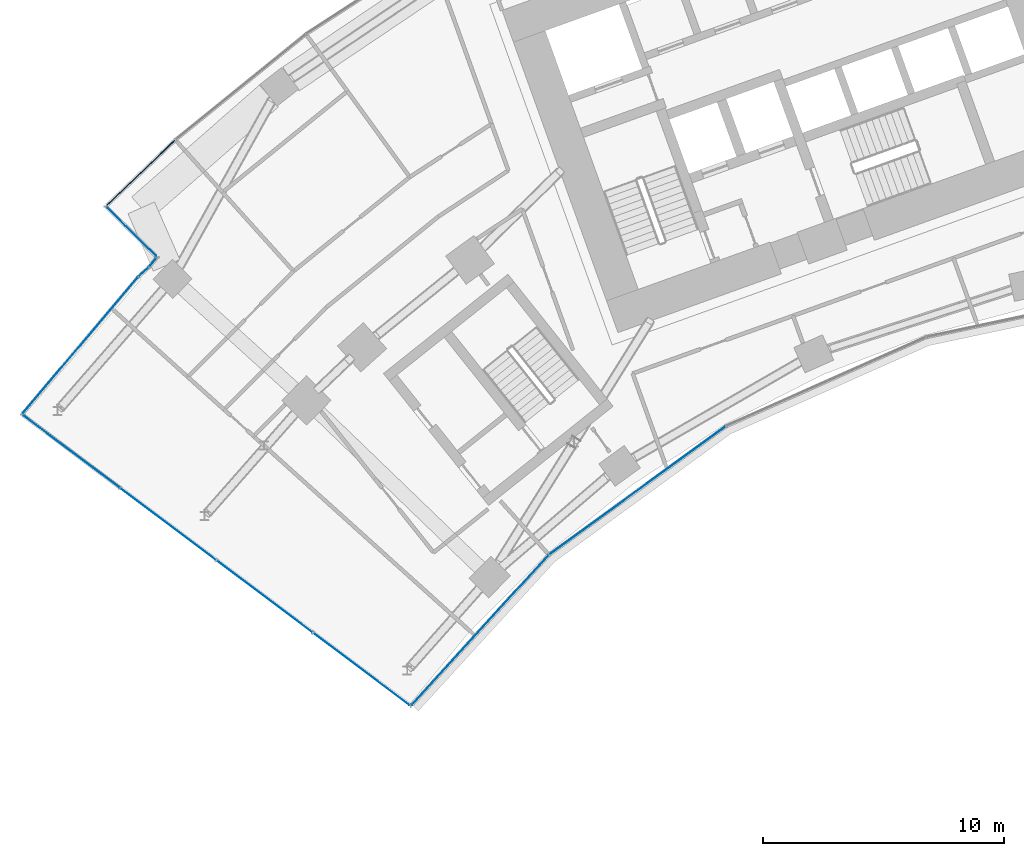
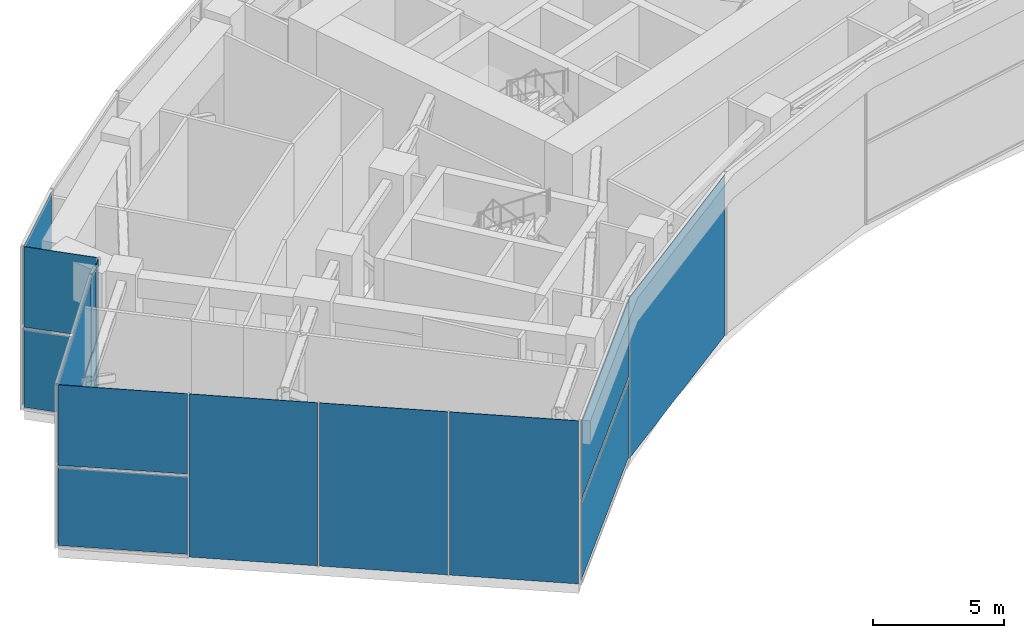
# One storey, part 15 of 30: 18 plates, 7 elements without a shape of their own.
"""IFC4 building model written with IfcOpenShell, lengths in metres."""

from ifc_helpers import new_model, si_unit, direction, frame, origin, origin_2d, place, context, subcontext, project, spatial, rectangle, extrude, material, layer, layer_set, type_object, element, aggregate, save


model = new_model("IFC4")

# Units and contexts
model_context = context("Model", 3, precision=1e-05, world=origin(), true_north=direction((0.0, 1.0)))
body_context = subcontext(model_context, "Body", "Model", "MODEL_VIEW")
ifc_project = project(units=[si_unit("LENGTHUNIT", "METRE"), si_unit("AREAUNIT", "SQUARE_METRE"), si_unit("VOLUMEUNIT", "CUBIC_METRE"), si_unit("PLANEANGLEUNIT", "RADIAN"), si_unit("MASSUNIT", "GRAM", prefix="KILO")], contexts=[model_context])

# Site, building, storey
site_placement = place(None, origin())
site = spatial("IfcSite", under=ifc_project, at=site_placement, CompositionType="ELEMENT")
building_placement = place(site_placement, origin())
building = spatial("IfcBuilding", under=site, at=building_placement, Name="Stone Belt Terrace Tower", CompositionType="ELEMENT")
storey_placement = place(building_placement, frame((0.0, 0.0, 136.39990234375)))
storey = spatial("IfcBuildingStorey", under=building, at=storey_placement, Name="L33", CompositionType="ELEMENT", Elevation=136.39990234375)

# Curtain wall, plates
ifc_material_1 = material(Name="Aluminium 6063-T6 anodised frame", Category="aluminium")
ifc_layer_1 = layer(ifc_material_1, 0.14990234375)
ifc_layer_set_1 = layer_set([ifc_layer_1], Name="CW-A unitised convex-face curtain wall")
curtain_wall_type_1 = type_object("IfcCurtainWallType", Name="CW-A unitised convex-face curtain wall", PredefinedType="NOTDEFINED", material=ifc_layer_set_1)
curtain_wall_1_placement = place(storey_placement, origin())
curtain_wall_1 = element("IfcCurtainWall", 1, at=curtain_wall_1_placement, inside=storey, type_object=curtain_wall_type_1, Name="CW-A convex face L33", PredefinedType="NOTDEFINED")
ifc_material_2 = material(Name="Terracotta coloured glazed ceramic", Category="masonry")
ifc_layer_2 = layer(ifc_material_2, 0.031982421875)
ifc_layer_set_2 = layer_set([ifc_layer_2], Name="CW-A ceramic louvre panel 32")
plate_type_1 = type_object("IfcPlateType", Name="CW-A ceramic louvre panel 32", PredefinedType="CURTAIN_PANEL", material=ifc_layer_set_2)
plate_1_placement = place(storey_placement, frame((-45.9765625, 48.109619140625, 0.14013671875), z_axis=(0.0, 0.0, 1.0), x_axis=(-0.723120883539, -0.690721497993, 0.0)))
plate_1 = element("IfcPlate", 2, at=plate_1_placement, type_object=plate_type_1, Name="CW-A louvre panel 17.1", PredefinedType="CURTAIN_PANEL", context=body_context, shape_type="SweptSolid", body=[
    extrude(rectangle(XDim=3.888671875, YDim=0.031982421875, at=origin_2d()), origin(), (0.0, 0.0, 1.0), 3.590087890625),
])
plate_2_placement = place(storey_placement, frame((-45.9765625, 48.109619140625, 3.8701171875), z_axis=(0.0, 0.0, 1.0), x_axis=(-0.723120883539, -0.690721497993, 0.0)))
plate_2 = element("IfcPlate", 3, at=plate_2_placement, type_object=plate_type_1, Name="CW-A louvre panel 17.2", PredefinedType="CURTAIN_PANEL", context=body_context, shape_type="SweptSolid", body=[
    extrude(rectangle(XDim=3.888671875, YDim=0.031982421875, at=origin_2d()), origin(), (0.0, 0.0, 1.0), 3.590087890625),
])
aggregate(curtain_wall_1, [plate_1, plate_2])

ifc_layer_3 = layer(ifc_material_1, 0.14990234375)
ifc_layer_set_3 = layer_set([ifc_layer_3], Name="CW-B unitised concave-face curtain wall")
curtain_wall_type_2 = type_object("IfcCurtainWallType", Name="CW-B unitised concave-face curtain wall", PredefinedType="NOTDEFINED", material=ifc_layer_set_3)
curtain_wall_2_placement = place(storey_placement, origin())
curtain_wall_2 = element("IfcCurtainWall", 4, at=curtain_wall_2_placement, inside=storey, type_object=curtain_wall_type_2, Name="CW-B concave face L33", PredefinedType="NOTDEFINED")
ifc_layer_4 = layer(ifc_material_2, 0.030029296875)
ifc_layer_set_4 = layer_set([ifc_layer_4], Name="CW-B ceramic louvre panel 30")
plate_type_2 = type_object("IfcPlateType", Name="CW-B ceramic louvre panel 30", PredefinedType="CURTAIN_PANEL", material=ifc_layer_set_4)
plate_3_placement = place(storey_placement, frame((-31.9111328125, 29.148681640625, 0.1201171875), z_axis=(0.0, 0.0, 1.0), x_axis=(0.674760998748, 0.73803630979, 0.0)))
plate_3 = element("IfcPlate", 5, at=plate_3_placement, type_object=plate_type_2, Name="CW-B louvre panel 1.1", PredefinedType="CURTAIN_PANEL", context=body_context, shape_type="SweptSolid", body=[
    extrude(rectangle(XDim=8.39501953125, YDim=0.030029296875, at=origin_2d()), origin(), (0.0, 0.0, 1.0), 3.6201171875),
])
plate_4_placement = place(storey_placement, frame((-31.9111328125, 29.148681640625, 3.860107421875), z_axis=(0.0, 0.0, 1.0), x_axis=(0.674760998748, 0.73803630979, 0.0)))
plate_4 = element("IfcPlate", 6, at=plate_4_placement, type_object=plate_type_2, Name="CW-B louvre panel 1.2", PredefinedType="CURTAIN_PANEL", context=body_context, shape_type="SweptSolid", body=[
    extrude(rectangle(XDim=8.39501953125, YDim=0.030029296875, at=origin_2d()), origin(), (0.0, 0.0, 1.0), 3.6201171875),
])
plate_5_placement = place(storey_placement, frame((-25.384765625, 34.938720703125, 0.0), z_axis=(0.0, 0.0, 1.0), x_axis=(0.809016994375, 0.587785252292, 0.0)))
plate_5 = element("IfcPlate", 7, at=plate_5_placement, type_object=plate_type_2, Name="CW-B louvre panel 2.1", PredefinedType="CURTAIN_PANEL", context=body_context, shape_type="SweptSolid", body=[
    extrude(rectangle(XDim=9.013427734375, YDim=0.030029296875, at=origin_2d()), origin(), (0.0, 0.0, 1.0), 7.47998046875),
])
aggregate(curtain_wall_2, [plate_3, plate_4, plate_5])

ifc_layer_5 = layer(ifc_material_1, 0.14990234375)
ifc_layer_set_5 = layer_set([ifc_layer_5], Name="CW-C stick curtain wall, horn ends and notches")
curtain_wall_type_3 = type_object("IfcCurtainWallType", Name="CW-C stick curtain wall, horn ends and notches", PredefinedType="NOTDEFINED", material=ifc_layer_set_5)
curtain_wall_3_placement = place(storey_placement, origin())
curtain_wall_3 = element("IfcCurtainWall", 8, at=curtain_wall_3_placement, inside=storey, type_object=curtain_wall_type_3, Name="CW-C notch face L33", PredefinedType="NOTDEFINED")
ifc_layer_6 = layer(ifc_material_2, 0.028076171875)
ifc_layer_set_6 = layer_set([ifc_layer_6], Name="CW-C ceramic louvre panel 28")
plate_type_3 = type_object("IfcPlateType", Name="CW-C ceramic louvre panel 28", PredefinedType="CURTAIN_PANEL", material=ifc_layer_set_6)
plate_6_placement = place(storey_placement, frame((-46.365966796875, 45.658447265625, 0.1201171875), z_axis=(0.0, 0.0, 1.0), x_axis=(0.711713447851, -0.702469905511, 0.0)))
plate_6 = element("IfcPlate", 9, at=plate_6_placement, type_object=plate_type_3, Name="CW-C louvre panel 1.1", PredefinedType="CURTAIN_PANEL", context=body_context, shape_type="SweptSolid", body=[
    extrude(rectangle(XDim=2.859375, YDim=0.028076171875, at=origin_2d()), origin(), (0.0, 0.0, 1.0), 3.6201171875),
])
plate_7_placement = place(storey_placement, frame((-46.365966796875, 45.658447265625, 3.85986328125), z_axis=(0.0, 0.0, 1.0), x_axis=(0.711713447851, -0.702469905511, 0.0)))
plate_7 = element("IfcPlate", 10, at=plate_7_placement, type_object=plate_type_3, Name="CW-C louvre panel 1.2", PredefinedType="CURTAIN_PANEL", context=body_context, shape_type="SweptSolid", body=[
    extrude(rectangle(XDim=2.859375, YDim=0.028076171875, at=origin_2d()), origin(), (0.0, 0.0, 1.0), 3.739990234375),
])
aggregate(curtain_wall_3, [plate_6, plate_7])

curtain_wall_4_placement = place(storey_placement, origin())
curtain_wall_4 = element("IfcCurtainWall", 11, at=curtain_wall_4_placement, inside=storey, type_object=curtain_wall_type_3, Name="CW-C end face L33", PredefinedType="NOTDEFINED")
plate_8_placement = place(storey_placement, frame((-45.481689453125, 44.3876953125, 0.1201171875), z_axis=(0.0, 0.0, 1.0), x_axis=(-0.652737860281, -0.757583847343, 0.0)))
plate_8 = element("IfcPlate", 12, at=plate_8_placement, type_object=plate_type_3, Name="CW-C louvre panel 1.1", PredefinedType="CURTAIN_PANEL", context=body_context, shape_type="SweptSolid", body=[
    extrude(rectangle(XDim=0.421630859375, YDim=0.028076171875, at=origin_2d()), origin(), (0.0, 0.0, 1.0), 3.6201171875),
])
plate_9_placement = place(storey_placement, frame((-45.481689453125, 44.3876953125, 3.85986328125), z_axis=(0.0, 0.0, 1.0), x_axis=(-0.652737860281, -0.757583847343, 0.0)))
plate_9 = element("IfcPlate", 13, at=plate_9_placement, type_object=plate_type_3, Name="CW-C louvre panel 1.2", PredefinedType="CURTAIN_PANEL", context=body_context, shape_type="SweptSolid", body=[
    extrude(rectangle(XDim=0.421630859375, YDim=0.028076171875, at=origin_2d()), origin(), (0.0, 0.0, 1.0), 3.739990234375),
])
aggregate(curtain_wall_4, [plate_8, plate_9])

curtain_wall_5_placement = place(storey_placement, origin())
curtain_wall_5 = element("IfcCurtainWall", 14, at=curtain_wall_5_placement, inside=storey, type_object=curtain_wall_type_3, Name="CW-C end face L33", PredefinedType="NOTDEFINED")
plate_10_placement = place(storey_placement, frame((-45.86376953125, 43.997802734375, 0.1201171875), z_axis=(0.0, 0.0, 1.0), x_axis=(-0.736280049148, -0.676676945985, 0.0)))
plate_10 = element("IfcPlate", 15, at=plate_10_placement, type_object=plate_type_3, Name="CW-C louvre panel 1.1", PredefinedType="CURTAIN_PANEL", context=body_context, shape_type="SweptSolid", body=[
    extrude(rectangle(XDim=0.534912109375, YDim=0.028076171875, at=origin_2d()), origin(), (0.0, 0.0, 1.0), 3.6201171875),
])
plate_11_placement = place(storey_placement, frame((-45.86376953125, 43.997802734375, 3.860107421875), z_axis=(0.0, 0.0, 1.0), x_axis=(-0.736280049148, -0.676676945985, 0.0)))
plate_11 = element("IfcPlate", 16, at=plate_11_placement, type_object=plate_type_3, Name="CW-C louvre panel 1.2", PredefinedType="CURTAIN_PANEL", context=body_context, shape_type="SweptSolid", body=[
    extrude(rectangle(XDim=0.534912109375, YDim=0.028076171875, at=origin_2d()), origin(), (0.0, 0.0, 1.0), 3.6201171875),
])
aggregate(curtain_wall_5, [plate_10, plate_11])

curtain_wall_6_placement = place(storey_placement, origin())
curtain_wall_6 = element("IfcCurtainWall", 17, at=curtain_wall_6_placement, inside=storey, type_object=curtain_wall_type_3, Name="CW-C notch face L33", PredefinedType="NOTDEFINED")
plate_12_placement = place(storey_placement, frame((-48.48388671875, 40.95654296875, 0.1201171875), z_axis=(0.0, 0.0, 1.0), x_axis=(-0.645521125177, -0.763742415315, 0.0)))
plate_12 = element("IfcPlate", 18, at=plate_12_placement, type_object=plate_type_3, Name="CW-C louvre panel 1.1", PredefinedType="CURTAIN_PANEL", context=body_context, shape_type="SweptSolid", body=[
    extrude(rectangle(XDim=7.359375, YDim=0.028076171875, at=origin_2d()), origin(), (0.0, 0.0, 1.0), 3.6201171875),
])
plate_13_placement = place(storey_placement, frame((-48.48388671875, 40.95654296875, 3.860107421875), z_axis=(0.0, 0.0, 1.0), x_axis=(-0.645521125177, -0.763742415315, 0.0)))
plate_13 = element("IfcPlate", 19, at=plate_13_placement, type_object=plate_type_3, Name="CW-C louvre panel 1.2", PredefinedType="CURTAIN_PANEL", context=body_context, shape_type="SweptSolid", body=[
    extrude(rectangle(XDim=7.359375, YDim=0.028076171875, at=origin_2d()), origin(), (0.0, 0.0, 1.0), 3.6201171875),
])
aggregate(curtain_wall_6, [plate_12, plate_13])

curtain_wall_7_placement = place(storey_placement, origin())
curtain_wall_7 = element("IfcCurtainWall", 20, at=curtain_wall_7_placement, inside=storey, type_object=curtain_wall_type_3, Name="CW-C end face L33", PredefinedType="NOTDEFINED")
plate_14_placement = place(storey_placement, frame((-48.85791015625, 36.551513671875, 0.1201171875), z_axis=(0.0, 0.0, 1.0), x_axis=(0.799986505357, -0.600017992436, 0.0)))
plate_14 = element("IfcPlate", 21, at=plate_14_placement, type_object=plate_type_3, Name="CW-C louvre panel 1.1", PredefinedType="CURTAIN_PANEL", context=body_context, shape_type="SweptSolid", body=[
    extrude(rectangle(XDim=4.974365234375, YDim=0.028076171875, at=origin_2d()), origin(), (0.0, 0.0, 1.0), 3.6201171875),
])
plate_15_placement = place(storey_placement, frame((-48.85791015625, 36.551513671875, 3.85986328125), z_axis=(0.0, 0.0, 1.0), x_axis=(0.799986505357, -0.600017992436, 0.0)))
plate_15 = element("IfcPlate", 22, at=plate_15_placement, type_object=plate_type_3, Name="CW-C louvre panel 1.2", PredefinedType="CURTAIN_PANEL", context=body_context, shape_type="SweptSolid", body=[
    extrude(rectangle(XDim=4.974365234375, YDim=0.028076171875, at=origin_2d()), origin(), (0.0, 0.0, 1.0), 3.739990234375),
])
plate_16_placement = place(storey_placement, frame((-44.84423828125, 33.541015625, 0.0), z_axis=(0.0, 0.0, 1.0), x_axis=(0.799986505357, -0.600017992436, 0.0)))
plate_16 = element("IfcPlate", 23, at=plate_16_placement, type_object=plate_type_3, Name="CW-C louvre panel 2.1", PredefinedType="CURTAIN_PANEL", context=body_context, shape_type="SweptSolid", body=[
    extrude(rectangle(XDim=4.93994140625, YDim=0.028076171875, at=origin_2d()), origin(), (0.0, 0.0, 1.0), 7.60009765625),
])
plate_17_placement = place(storey_placement, frame((-40.84423828125, 30.541015625, 0.0), z_axis=(0.0, 0.0, 1.0), x_axis=(0.799986505357, -0.600017992436, 0.0)))
plate_17 = element("IfcPlate", 24, at=plate_17_placement, type_object=plate_type_3, Name="CW-C louvre panel 3.1", PredefinedType="CURTAIN_PANEL", context=body_context, shape_type="SweptSolid", body=[
    extrude(rectangle(XDim=4.93994140625, YDim=0.028076171875, at=origin_2d()), origin(), (0.0, 0.0, 1.0), 7.60009765625),
])
plate_18_placement = place(storey_placement, frame((-36.834228515625, 27.533203125, 0.0), z_axis=(0.0, 0.0, 1.0), x_axis=(0.799986505357, -0.600017992436, 0.0)))
plate_18 = element("IfcPlate", 25, at=plate_18_placement, type_object=plate_type_3, Name="CW-C louvre panel 4.1", PredefinedType="CURTAIN_PANEL", context=body_context, shape_type="SweptSolid", body=[
    extrude(rectangle(XDim=4.96533203125, YDim=0.028076171875, at=origin_2d()), origin(), (0.0, 0.0, 1.0), 7.60009765625),
])
aggregate(curtain_wall_7, [plate_14, plate_15, plate_16, plate_17, plate_18])

save(model, "model.ifc")
